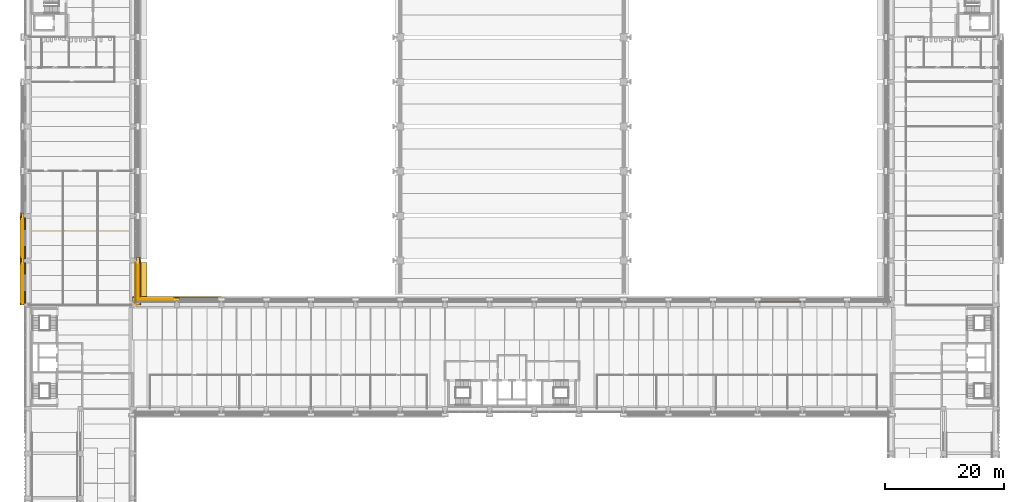
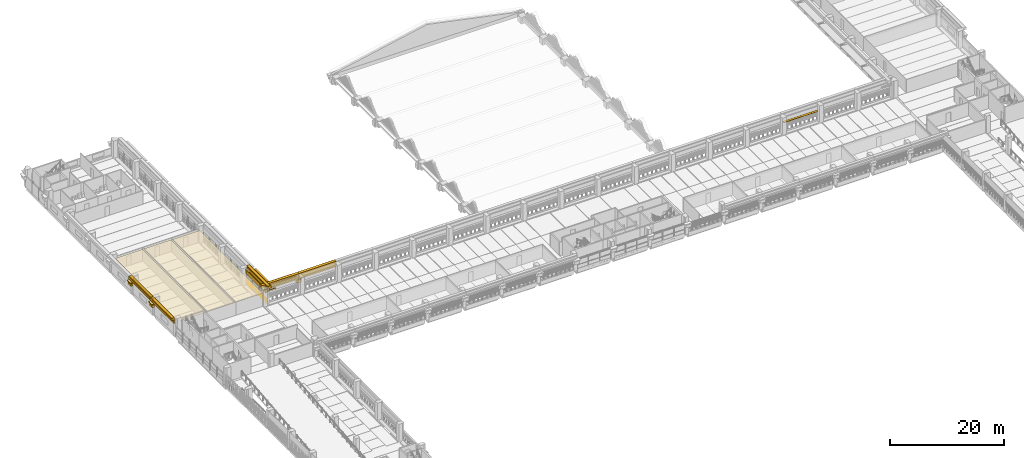
# One storey, part 47 of 71: 23 coverings, 2 shading devices, 1 railing.
"""IFC4 building model written with IfcOpenShell, lengths in metres."""

from ifc_helpers import new_model, si_unit, direction, frame, origin, origin_2d, place, context, subcontext, project, spatial, polyline, circle, outline, extrude, material, layer, layer_set, type_object, element, save


model = new_model("IFC4")

# Units and contexts
model_context = context("Model", 3, precision=1e-05, world=origin(), true_north=direction((0.0, 1.0)))
body_context = subcontext(model_context, "Body", "Model", "MODEL_VIEW")
ifc_project = project(units=[si_unit("LENGTHUNIT", "METRE"), si_unit("AREAUNIT", "SQUARE_METRE"), si_unit("VOLUMEUNIT", "CUBIC_METRE"), si_unit("PLANEANGLEUNIT", "RADIAN"), si_unit("MASSUNIT", "GRAM", prefix="KILO")], contexts=[model_context])

# Site, building, storey
site_placement = place(None, origin())
site = spatial("IfcSite", under=ifc_project, at=site_placement, CompositionType="ELEMENT")
building_placement = place(site_placement, origin())
building = spatial("IfcBuilding", under=site, at=building_placement, Name="Cour d'Honneur Mobility Palace", CompositionType="ELEMENT")
storey_placement = place(building_placement, frame((0.0, 0.0, 15.60009765625)))
storey = spatial("IfcBuildingStorey", under=building, at=storey_placement, Name="L04", CompositionType="ELEMENT", Elevation=15.60009765625)

# Railing
ifc_material_1 = material(Name="Painted steel", Category="steel")
railing_type = type_object("IfcRailingType", Name="Balustrade", PredefinedType="BALUSTRADE", material=ifc_material_1)
railing_placement = place(storey_placement, frame((17.949951171875, 62.699951171875, 0.2998046875)))
element("IfcRailing", 1, at=railing_placement, inside=storey, type_object=railing_type, Name="Balustrade BAL-252", PredefinedType="BALUSTRADE", context=body_context, shape_type="SweptSolid", body=[
    extrude(circle(Radius=0.02392578125, at=origin_2d()), frame((0.0, 0.0, 0.77587890625), z_axis=(0.0, 1.0, 0.0), x_axis=(-1.0, 0.0, 0.0)), (0.0, 0.0, 1.0), 6.900146484375),
    extrude(circle(Radius=0.02099609375, at=origin_2d()), origin(), (0.0, 0.0, 1.0), 0.751953125),
    extrude(circle(Radius=0.02099609375, at=origin_2d()), frame((0.0, 0.862548828125, 0.0)), (0.0, 0.0, 1.0), 0.751953125),
    extrude(circle(Radius=0.02099609375, at=origin_2d()), frame((0.0, 1.72509765625, 0.0)), (0.0, 0.0, 1.0), 0.751953125),
    extrude(circle(Radius=0.02099609375, at=origin_2d()), frame((0.0, 2.587646484375, 0.0)), (0.0, 0.0, 1.0), 0.751953125),
    extrude(circle(Radius=0.02099609375, at=origin_2d()), frame((0.0, 3.4501953125, 0.0)), (0.0, 0.0, 1.0), 0.751953125),
    extrude(circle(Radius=0.02099609375, at=origin_2d()), frame((0.0, 4.3125, 0.0)), (0.0, 0.0, 1.0), 0.751953125),
    extrude(circle(Radius=0.02099609375, at=origin_2d()), frame((0.0, 5.175048828125, 0.0)), (0.0, 0.0, 1.0), 0.751953125),
    extrude(circle(Radius=0.02099609375, at=origin_2d()), frame((0.0, 6.03759765625, 0.0)), (0.0, 0.0, 1.0), 0.751953125),
    extrude(circle(Radius=0.02099609375, at=origin_2d()), frame((0.0, 6.900146484375, 0.0)), (0.0, 0.0, 1.0), 0.751953125),
])

# Coverings
ifc_material_2 = material(Name="Cast limestone", Category="masonry")
ifc_layer_1 = layer(ifc_material_2, 0.14990234375)
ifc_layer_set_1 = layer_set([ifc_layer_1], Name="Cast limestone")
covering_type_1 = type_object("IfcCoveringType", Name="Dentil course", PredefinedType="CLADDING", material=ifc_layer_set_1)
covering_1_placement = place(storey_placement, frame((0.0, 0.0, 3.14990234375)))
element("IfcCovering", 2, at=covering_1_placement, inside=storey, type_object=covering_type_1, Name="Dentil course DC-111", PredefinedType="CLADDING", context=body_context, shape_type="SweptSolid", body=[
    extrude(outline(polyline([(24.449951171875, 63.300048828125), (17.85009765625, 63.300048828125), (17.85009765625, 63.330078125), (17.85009765625, 63.330078125), (17.928466796875, 63.330078125), (17.928466796875, 63.449951171875), (18.085693359375, 63.449951171875), (18.085693359375, 63.330078125), (18.164306640625, 63.330078125), (18.164306640625, 63.330078125), (18.242919921875, 63.330078125), (18.242919921875, 63.449951171875), (18.39990234375, 63.449951171875), (18.39990234375, 63.330078125), (18.478515625, 63.330078125), (18.478515625, 63.330078125), (18.55712890625, 63.330078125), (18.55712890625, 63.449951171875), (18.71435546875, 63.449951171875), (18.71435546875, 63.330078125), (18.79296875, 63.330078125), (18.79296875, 63.330078125), (18.871337890625, 63.330078125), (18.871337890625, 63.449951171875), (19.028564453125, 63.449951171875), (19.028564453125, 63.330078125), (19.107177734375, 63.330078125), (19.107177734375, 63.330078125), (19.185791015625, 63.330078125), (19.185791015625, 63.449951171875), (19.3427734375, 63.449951171875), (19.3427734375, 63.330078125), (19.42138671875, 63.330078125), (19.42138671875, 63.330078125), (19.5, 63.330078125), (19.5, 63.449951171875), (19.6572265625, 63.449951171875), (19.6572265625, 63.330078125), (19.735595703125, 63.330078125), (19.735595703125, 63.330078125), (19.814208984375, 63.330078125), (19.814208984375, 63.449951171875), (19.971435546875, 63.449951171875), (19.971435546875, 63.330078125), (20.050048828125, 63.330078125), (20.050048828125, 63.330078125), (20.128662109375, 63.330078125), (20.128662109375, 63.449951171875), (20.28564453125, 63.449951171875), (20.28564453125, 63.330078125), (20.3642578125, 63.330078125), (20.3642578125, 63.330078125), (20.44287109375, 63.330078125), (20.44287109375, 63.449951171875), (20.60009765625, 63.449951171875), (20.60009765625, 63.330078125), (20.678466796875, 63.330078125), (20.678466796875, 63.330078125), (20.757080078125, 63.330078125), (20.757080078125, 63.449951171875), (20.914306640625, 63.449951171875), (20.914306640625, 63.330078125), (20.992919921875, 63.330078125), (20.992919921875, 63.330078125), (21.071533203125, 63.330078125), (21.071533203125, 63.449951171875), (21.228515625, 63.449951171875), (21.228515625, 63.330078125), (21.30712890625, 63.330078125), (21.30712890625, 63.330078125), (21.3857421875, 63.330078125), (21.3857421875, 63.449951171875), (21.54296875, 63.449951171875), (21.54296875, 63.330078125), (21.621337890625, 63.330078125), (21.621337890625, 63.330078125), (21.699951171875, 63.330078125), (21.699951171875, 63.449951171875), (21.857177734375, 63.449951171875), (21.857177734375, 63.330078125), (21.935791015625, 63.330078125), (21.935791015625, 63.330078125), (22.014404296875, 63.330078125), (22.014404296875, 63.449951171875), (22.17138671875, 63.449951171875), (22.17138671875, 63.330078125), (22.25, 63.330078125), (22.25, 63.330078125), (22.32861328125, 63.330078125), (22.32861328125, 63.449951171875), (22.485595703125, 63.449951171875), (22.485595703125, 63.330078125), (22.564208984375, 63.330078125), (22.564208984375, 63.330078125), (22.642822265625, 63.330078125), (22.642822265625, 63.449951171875), (22.800048828125, 63.449951171875), (22.800048828125, 63.330078125), (22.878662109375, 63.330078125), (22.878662109375, 63.330078125), (22.95703125, 63.330078125), (22.95703125, 63.449951171875), (23.1142578125, 63.449951171875), (23.1142578125, 63.330078125), (23.19287109375, 63.330078125), (23.19287109375, 63.330078125), (23.271484375, 63.330078125), (23.271484375, 63.449951171875), (23.428466796875, 63.449951171875), (23.428466796875, 63.330078125), (23.507080078125, 63.330078125), (23.507080078125, 63.330078125), (23.585693359375, 63.330078125), (23.585693359375, 63.449951171875), (23.742919921875, 63.449951171875), (23.742919921875, 63.330078125), (23.821533203125, 63.330078125), (23.821533203125, 63.330078125), (23.89990234375, 63.330078125), (23.89990234375, 63.449951171875), (24.05712890625, 63.449951171875), (24.05712890625, 63.330078125), (24.1357421875, 63.330078125), (24.1357421875, 63.330078125), (24.21435546875, 63.330078125), (24.21435546875, 63.449951171875), (24.371337890625, 63.449951171875), (24.371337890625, 63.330078125), (24.449951171875, 63.330078125), (24.449951171875, 63.300048828125)])), origin(), (0.0, 0.0, 1.0), 0.14990234375),
])
covering_2_placement = place(storey_placement, frame((0.0, 0.0, 3.14990234375)))
element("IfcCovering", 3, at=covering_2_placement, inside=storey, type_object=covering_type_1, Name="Dentil course DC-112", PredefinedType="CLADDING", context=body_context, shape_type="SweptSolid", body=[
    extrude(outline(polyline([(18.300048828125, 62.85009765625), (18.300048828125, 69.449951171875), (18.330078125, 69.449951171875), (18.330078125, 69.449951171875), (18.330078125, 69.371337890625), (18.449951171875, 69.371337890625), (18.449951171875, 69.21435546875), (18.330078125, 69.21435546875), (18.330078125, 69.1357421875), (18.330078125, 69.1357421875), (18.330078125, 69.05712890625), (18.449951171875, 69.05712890625), (18.449951171875, 68.89990234375), (18.330078125, 68.89990234375), (18.330078125, 68.821533203125), (18.330078125, 68.821533203125), (18.330078125, 68.742919921875), (18.449951171875, 68.742919921875), (18.449951171875, 68.585693359375), (18.330078125, 68.585693359375), (18.330078125, 68.507080078125), (18.330078125, 68.507080078125), (18.330078125, 68.428466796875), (18.449951171875, 68.428466796875), (18.449951171875, 68.271484375), (18.330078125, 68.271484375), (18.330078125, 68.19287109375), (18.330078125, 68.19287109375), (18.330078125, 68.1142578125), (18.449951171875, 68.1142578125), (18.449951171875, 67.95703125), (18.330078125, 67.95703125), (18.330078125, 67.878662109375), (18.330078125, 67.878662109375), (18.330078125, 67.800048828125), (18.449951171875, 67.800048828125), (18.449951171875, 67.642822265625), (18.330078125, 67.642822265625), (18.330078125, 67.564208984375), (18.330078125, 67.564208984375), (18.330078125, 67.485595703125), (18.449951171875, 67.485595703125), (18.449951171875, 67.32861328125), (18.330078125, 67.32861328125), (18.330078125, 67.25), (18.330078125, 67.25), (18.330078125, 67.17138671875), (18.449951171875, 67.17138671875), (18.449951171875, 67.014404296875), (18.330078125, 67.014404296875), (18.330078125, 66.935791015625), (18.330078125, 66.935791015625), (18.330078125, 66.857177734375), (18.449951171875, 66.857177734375), (18.449951171875, 66.699951171875), (18.330078125, 66.699951171875), (18.330078125, 66.621337890625), (18.330078125, 66.621337890625), (18.330078125, 66.54296875), (18.449951171875, 66.54296875), (18.449951171875, 66.3857421875), (18.330078125, 66.3857421875), (18.330078125, 66.30712890625), (18.330078125, 66.30712890625), (18.330078125, 66.228515625), (18.449951171875, 66.228515625), (18.449951171875, 66.071533203125), (18.330078125, 66.071533203125), (18.330078125, 65.992919921875), (18.330078125, 65.992919921875), (18.330078125, 65.914306640625), (18.449951171875, 65.914306640625), (18.449951171875, 65.757080078125), (18.330078125, 65.757080078125), (18.330078125, 65.678466796875), (18.330078125, 65.678466796875), (18.330078125, 65.60009765625), (18.449951171875, 65.60009765625), (18.449951171875, 65.44287109375), (18.330078125, 65.44287109375), (18.330078125, 65.3642578125), (18.330078125, 65.3642578125), (18.330078125, 65.28564453125), (18.449951171875, 65.28564453125), (18.449951171875, 65.128662109375), (18.330078125, 65.128662109375), (18.330078125, 65.050048828125), (18.330078125, 65.050048828125), (18.330078125, 64.971435546875), (18.449951171875, 64.971435546875), (18.449951171875, 64.814208984375), (18.330078125, 64.814208984375), (18.330078125, 64.735595703125), (18.330078125, 64.735595703125), (18.330078125, 64.6572265625), (18.449951171875, 64.6572265625), (18.449951171875, 64.5), (18.330078125, 64.5), (18.330078125, 64.42138671875), (18.330078125, 64.42138671875), (18.330078125, 64.3427734375), (18.449951171875, 64.3427734375), (18.449951171875, 64.185791015625), (18.330078125, 64.185791015625), (18.330078125, 64.107177734375), (18.330078125, 64.107177734375), (18.330078125, 64.028564453125), (18.449951171875, 64.028564453125), (18.449951171875, 63.871337890625), (18.330078125, 63.871337890625), (18.330078125, 63.79296875), (18.330078125, 63.79296875), (18.330078125, 63.71435546875), (18.449951171875, 63.71435546875), (18.449951171875, 63.55712890625), (18.330078125, 63.55712890625), (18.330078125, 63.478515625), (18.330078125, 63.478515625), (18.330078125, 63.39990234375), (18.449951171875, 63.39990234375), (18.449951171875, 63.242919921875), (18.330078125, 63.242919921875), (18.330078125, 63.164306640625), (18.330078125, 63.164306640625), (18.330078125, 63.085693359375), (18.449951171875, 63.085693359375), (18.449951171875, 62.928466796875), (18.330078125, 62.928466796875), (18.330078125, 62.85009765625), (18.300048828125, 62.85009765625)])), origin(), (0.0, 0.0, 1.0), 0.14990234375),
])
covering_3_placement = place(storey_placement, frame((0.0, 0.0, 3.14990234375)))
element("IfcCovering", 4, at=covering_3_placement, inside=storey, type_object=covering_type_1, Name="Dentil course DC-122", PredefinedType="CLADDING", context=body_context, shape_type="SweptSolid", body=[
    extrude(outline(polyline([(-0.89990234375, 76.949951171875), (-0.89990234375, 70.35009765625), (-0.929931640625, 70.35009765625), (-0.929931640625, 70.35009765625), (-0.929931640625, 70.428466796875), (-1.050048828125, 70.428466796875), (-1.050048828125, 70.585693359375), (-0.929931640625, 70.585693359375), (-0.929931640625, 70.664306640625), (-0.929931640625, 70.664306640625), (-0.929931640625, 70.742919921875), (-1.050048828125, 70.742919921875), (-1.050048828125, 70.89990234375), (-0.929931640625, 70.89990234375), (-0.929931640625, 70.978515625), (-0.929931640625, 70.978515625), (-0.929931640625, 71.05712890625), (-1.050048828125, 71.05712890625), (-1.050048828125, 71.21435546875), (-0.929931640625, 71.21435546875), (-0.929931640625, 71.29296875), (-0.929931640625, 71.29296875), (-0.929931640625, 71.371337890625), (-1.050048828125, 71.371337890625), (-1.050048828125, 71.528564453125), (-0.929931640625, 71.528564453125), (-0.929931640625, 71.607177734375), (-0.929931640625, 71.607177734375), (-0.929931640625, 71.685791015625), (-1.050048828125, 71.685791015625), (-1.050048828125, 71.8427734375), (-0.929931640625, 71.8427734375), (-0.929931640625, 71.92138671875), (-0.929931640625, 71.92138671875), (-0.929931640625, 72.0), (-1.050048828125, 72.0), (-1.050048828125, 72.1572265625), (-0.929931640625, 72.1572265625), (-0.929931640625, 72.235595703125), (-0.929931640625, 72.235595703125), (-0.929931640625, 72.314208984375), (-1.050048828125, 72.314208984375), (-1.050048828125, 72.471435546875), (-0.929931640625, 72.471435546875), (-0.929931640625, 72.550048828125), (-0.929931640625, 72.550048828125), (-0.929931640625, 72.628662109375), (-1.050048828125, 72.628662109375), (-1.050048828125, 72.78564453125), (-0.929931640625, 72.78564453125), (-0.929931640625, 72.8642578125), (-0.929931640625, 72.8642578125), (-0.929931640625, 72.94287109375), (-1.050048828125, 72.94287109375), (-1.050048828125, 73.10009765625), (-0.929931640625, 73.10009765625), (-0.929931640625, 73.178466796875), (-0.929931640625, 73.178466796875), (-0.929931640625, 73.257080078125), (-1.050048828125, 73.257080078125), (-1.050048828125, 73.414306640625), (-0.929931640625, 73.414306640625), (-0.929931640625, 73.492919921875), (-0.929931640625, 73.492919921875), (-0.929931640625, 73.571533203125), (-1.050048828125, 73.571533203125), (-1.050048828125, 73.728515625), (-0.929931640625, 73.728515625), (-0.929931640625, 73.80712890625), (-0.929931640625, 73.80712890625), (-0.929931640625, 73.8857421875), (-1.050048828125, 73.8857421875), (-1.050048828125, 74.04296875), (-0.929931640625, 74.04296875), (-0.929931640625, 74.121337890625), (-0.929931640625, 74.121337890625), (-0.929931640625, 74.199951171875), (-1.050048828125, 74.199951171875), (-1.050048828125, 74.357177734375), (-0.929931640625, 74.357177734375), (-0.929931640625, 74.435791015625), (-0.929931640625, 74.435791015625), (-0.929931640625, 74.514404296875), (-1.050048828125, 74.514404296875), (-1.050048828125, 74.67138671875), (-0.929931640625, 74.67138671875), (-0.929931640625, 74.75), (-0.929931640625, 74.75), (-0.929931640625, 74.82861328125), (-1.050048828125, 74.82861328125), (-1.050048828125, 74.985595703125), (-0.929931640625, 74.985595703125), (-0.929931640625, 75.064208984375), (-0.929931640625, 75.064208984375), (-0.929931640625, 75.142822265625), (-1.050048828125, 75.142822265625), (-1.050048828125, 75.300048828125), (-0.929931640625, 75.300048828125), (-0.929931640625, 75.378662109375), (-0.929931640625, 75.378662109375), (-0.929931640625, 75.45703125), (-1.050048828125, 75.45703125), (-1.050048828125, 75.6142578125), (-0.929931640625, 75.6142578125), (-0.929931640625, 75.69287109375), (-0.929931640625, 75.69287109375), (-0.929931640625, 75.771484375), (-1.050048828125, 75.771484375), (-1.050048828125, 75.928466796875), (-0.929931640625, 75.928466796875), (-0.929931640625, 76.007080078125), (-0.929931640625, 76.007080078125), (-0.929931640625, 76.085693359375), (-1.050048828125, 76.085693359375), (-1.050048828125, 76.242919921875), (-0.929931640625, 76.242919921875), (-0.929931640625, 76.321533203125), (-0.929931640625, 76.321533203125), (-0.929931640625, 76.39990234375), (-1.050048828125, 76.39990234375), (-1.050048828125, 76.55712890625), (-0.929931640625, 76.55712890625), (-0.929931640625, 76.6357421875), (-0.929931640625, 76.6357421875), (-0.929931640625, 76.71435546875), (-1.050048828125, 76.71435546875), (-1.050048828125, 76.871337890625), (-0.929931640625, 76.871337890625), (-0.929931640625, 76.949951171875), (-0.89990234375, 76.949951171875)])), origin(), (0.0, 0.0, 1.0), 0.14990234375),
])
covering_4_placement = place(storey_placement, frame((0.0, 0.0, 3.14990234375)))
element("IfcCovering", 5, at=covering_4_placement, inside=storey, type_object=covering_type_1, Name="Dentil course DC-123", PredefinedType="CLADDING", context=body_context, shape_type="SweptSolid", body=[
    extrude(outline(polyline([(-0.89990234375, 69.449951171875), (-0.89990234375, 62.85009765625), (-0.929931640625, 62.85009765625), (-0.929931640625, 62.85009765625), (-0.929931640625, 62.928466796875), (-1.050048828125, 62.928466796875), (-1.050048828125, 63.085693359375), (-0.929931640625, 63.085693359375), (-0.929931640625, 63.164306640625), (-0.929931640625, 63.164306640625), (-0.929931640625, 63.242919921875), (-1.050048828125, 63.242919921875), (-1.050048828125, 63.39990234375), (-0.929931640625, 63.39990234375), (-0.929931640625, 63.478515625), (-0.929931640625, 63.478515625), (-0.929931640625, 63.55712890625), (-1.050048828125, 63.55712890625), (-1.050048828125, 63.71435546875), (-0.929931640625, 63.71435546875), (-0.929931640625, 63.79296875), (-0.929931640625, 63.79296875), (-0.929931640625, 63.871337890625), (-1.050048828125, 63.871337890625), (-1.050048828125, 64.028564453125), (-0.929931640625, 64.028564453125), (-0.929931640625, 64.107177734375), (-0.929931640625, 64.107177734375), (-0.929931640625, 64.185791015625), (-1.050048828125, 64.185791015625), (-1.050048828125, 64.3427734375), (-0.929931640625, 64.3427734375), (-0.929931640625, 64.42138671875), (-0.929931640625, 64.42138671875), (-0.929931640625, 64.5), (-1.050048828125, 64.5), (-1.050048828125, 64.6572265625), (-0.929931640625, 64.6572265625), (-0.929931640625, 64.735595703125), (-0.929931640625, 64.735595703125), (-0.929931640625, 64.814208984375), (-1.050048828125, 64.814208984375), (-1.050048828125, 64.971435546875), (-0.929931640625, 64.971435546875), (-0.929931640625, 65.050048828125), (-0.929931640625, 65.050048828125), (-0.929931640625, 65.128662109375), (-1.050048828125, 65.128662109375), (-1.050048828125, 65.28564453125), (-0.929931640625, 65.28564453125), (-0.929931640625, 65.3642578125), (-0.929931640625, 65.3642578125), (-0.929931640625, 65.44287109375), (-1.050048828125, 65.44287109375), (-1.050048828125, 65.60009765625), (-0.929931640625, 65.60009765625), (-0.929931640625, 65.678466796875), (-0.929931640625, 65.678466796875), (-0.929931640625, 65.757080078125), (-1.050048828125, 65.757080078125), (-1.050048828125, 65.914306640625), (-0.929931640625, 65.914306640625), (-0.929931640625, 65.992919921875), (-0.929931640625, 65.992919921875), (-0.929931640625, 66.071533203125), (-1.050048828125, 66.071533203125), (-1.050048828125, 66.228515625), (-0.929931640625, 66.228515625), (-0.929931640625, 66.30712890625), (-0.929931640625, 66.30712890625), (-0.929931640625, 66.3857421875), (-1.050048828125, 66.3857421875), (-1.050048828125, 66.54296875), (-0.929931640625, 66.54296875), (-0.929931640625, 66.621337890625), (-0.929931640625, 66.621337890625), (-0.929931640625, 66.699951171875), (-1.050048828125, 66.699951171875), (-1.050048828125, 66.857177734375), (-0.929931640625, 66.857177734375), (-0.929931640625, 66.935791015625), (-0.929931640625, 66.935791015625), (-0.929931640625, 67.014404296875), (-1.050048828125, 67.014404296875), (-1.050048828125, 67.17138671875), (-0.929931640625, 67.17138671875), (-0.929931640625, 67.25), (-0.929931640625, 67.25), (-0.929931640625, 67.32861328125), (-1.050048828125, 67.32861328125), (-1.050048828125, 67.485595703125), (-0.929931640625, 67.485595703125), (-0.929931640625, 67.564208984375), (-0.929931640625, 67.564208984375), (-0.929931640625, 67.642822265625), (-1.050048828125, 67.642822265625), (-1.050048828125, 67.800048828125), (-0.929931640625, 67.800048828125), (-0.929931640625, 67.878662109375), (-0.929931640625, 67.878662109375), (-0.929931640625, 67.95703125), (-1.050048828125, 67.95703125), (-1.050048828125, 68.1142578125), (-0.929931640625, 68.1142578125), (-0.929931640625, 68.19287109375), (-0.929931640625, 68.19287109375), (-0.929931640625, 68.271484375), (-1.050048828125, 68.271484375), (-1.050048828125, 68.428466796875), (-0.929931640625, 68.428466796875), (-0.929931640625, 68.507080078125), (-0.929931640625, 68.507080078125), (-0.929931640625, 68.585693359375), (-1.050048828125, 68.585693359375), (-1.050048828125, 68.742919921875), (-0.929931640625, 68.742919921875), (-0.929931640625, 68.821533203125), (-0.929931640625, 68.821533203125), (-0.929931640625, 68.89990234375), (-1.050048828125, 68.89990234375), (-1.050048828125, 69.05712890625), (-0.929931640625, 69.05712890625), (-0.929931640625, 69.1357421875), (-0.929931640625, 69.1357421875), (-0.929931640625, 69.21435546875), (-1.050048828125, 69.21435546875), (-1.050048828125, 69.371337890625), (-0.929931640625, 69.371337890625), (-0.929931640625, 69.449951171875), (-0.89990234375, 69.449951171875)])), origin(), (0.0, 0.0, 1.0), 0.14990234375),
])

# Shading device
ifc_material_3 = material(Name="Anodised aluminium", Category="aluminium")
ifc_layer_2 = layer(ifc_material_3, 0.1201171875)
ifc_layer_set_2 = layer_set([ifc_layer_2], Name="Anodised aluminium")
shading_device_type_1 = type_object("IfcShadingDeviceType", Name="Eave sunshade 1800", PredefinedType="AWNING", material=ifc_layer_set_2)
shading_device_1_placement = place(storey_placement, frame((0.0, 0.0, 2.6298828125)))
element("IfcShadingDevice", 6, at=shading_device_1_placement, inside=storey, type_object=shading_device_type_1, Name="Sunshade E9.0 L04", PredefinedType="AWNING", context=body_context, shape_type="SweptSolid", body=[
    extrude(outline(polyline([(18.10009765625, 62.699951171875), (18.10009765625, 69.60009765625), (19.89990234375, 69.60009765625), (19.89990234375, 62.699951171875), (18.10009765625, 62.699951171875)])), origin(), (0.0, 0.0, 1.0), 0.1201171875),
])

# Coverings
ifc_material_4 = material(Name="Cast limestone", Category="masonry")
ifc_layer_3 = layer(ifc_material_4, 0.699951171875)
ifc_layer_set_3 = layer_set([ifc_layer_3], Name="Cast limestone")
covering_type_2 = type_object("IfcCoveringType", Name="Entablature", PredefinedType="CLADDING", material=ifc_layer_set_3)
for number, where, z_axis, x_axis, name in (
    (7, (32.39990234375, 63.14990234375, 2.599853515625), (1.0, 0.0, 0.0), (0.0, 1.0, 0.0), "Entablature EN-110"),
    (8, (24.89990234375, 63.14990234375, 2.599853515625), (1.0, 0.0, 0.0), (0.0, 1.0, 0.0), "Entablature EN-111"),
    (9, (18.14990234375, 62.39990234375, 2.599853515625), (0.0, -1.0, 0.0), (1.0, 0.0, 0.0), "Entablature EN-112"),
):
    element("IfcCovering", number, at=place(storey_placement, frame(where, z_axis=z_axis, x_axis=x_axis)), inside=storey, type_object=covering_type_2, Name=name, PredefinedType="CLADDING", context=body_context, shape_type="SweptSolid", body=[
        extrude(outline(polyline([(0.0, 0.0), (0.150146484375, 0.0), (0.150146484375, 0.699951171875), (0.7001953125, 0.699951171875), (0.7001953125, 1.10009765625), (0.550048828125, 1.199951171875), (0.0, 1.199951171875), (0.0, 0.0)])), origin(), (0.0, 0.0, -1.0), 7.5),
    ])
for number, where, z_axis, x_axis, name in (
    (10, (-0.75, 77.39990234375, 2.599853515625), (0.0, 1.0, 0.0), (-1.0, 0.0, 0.0), "Entablature EN-122"),
    (11, (-0.75, 69.89990234375, 2.599853515625), (0.0, 1.0, 0.0), (-1.0, 0.0, 0.0), "Entablature EN-123"),
):
    element("IfcCovering", number, at=place(storey_placement, frame(where, z_axis=z_axis, x_axis=x_axis)), inside=storey, type_object=covering_type_2, Name=name, PredefinedType="CLADDING", context=body_context, shape_type="SweptSolid", body=[
        extrude(outline(polyline([(0.0, 0.0), (0.14990234375, 0.0), (0.14990234375, 0.699951171875), (0.699951171875, 0.699951171875), (0.699951171875, 1.10009765625), (0.550048828125, 1.199951171875), (0.0, 1.199951171875), (0.0, 0.0)])), origin(), (0.0, 0.0, -1.0), 7.5),
    ])
ifc_material_5 = material(Name="Cast limestone", Category="masonry")
ifc_layer_4 = layer(ifc_material_5, 0.1201171875)
ifc_layer_set_4 = layer_set([ifc_layer_4], Name="Cast limestone")
covering_type_3 = type_object("IfcCoveringType", Name="Pilaster capital", PredefinedType="CLADDING", material=ifc_layer_set_4)
covering_5_placement = place(storey_placement, frame((0.0, 0.0, 1.7998046875)))
element("IfcCovering", 12, at=covering_5_placement, inside=storey, type_object=covering_type_3, Name="Pilaster capital PK-155", PredefinedType="CLADDING", context=body_context, shape_type="SweptSolid", body=[
    extrude(outline(polyline([(25.39990234375, 63.14990234375), (24.39990234375, 63.14990234375), (24.39990234375, 63.6201171875), (25.39990234375, 63.6201171875), (25.39990234375, 63.14990234375)])), origin(), (0.0, 0.0, 1.0), 0.6201171875),
])
covering_6_placement = place(storey_placement, frame((0.0, 0.0, 2.419921875)))
element("IfcCovering", 13, at=covering_6_placement, inside=storey, type_object=covering_type_3, Name="Pilaster capital PK-156", PredefinedType="CLADDING", context=body_context, shape_type="SweptSolid", body=[
    extrude(outline(polyline([(25.5, 63.14990234375), (24.300048828125, 63.14990234375), (24.300048828125, 63.75), (25.5, 63.75), (25.5, 63.14990234375)])), origin(), (0.0, 0.0, 1.0), 0.179931640625),
])
covering_7_placement = place(storey_placement, frame((0.0, 0.0, 1.7998046875)))
element("IfcCovering", 14, at=covering_7_placement, inside=storey, type_object=covering_type_3, Name="Pilaster capital PK-161", PredefinedType="CLADDING", context=body_context, shape_type="SweptSolid", body=[
    extrude(outline(polyline([(18.14990234375, 69.39990234375), (18.14990234375, 70.39990234375), (18.6201171875, 70.39990234375), (18.6201171875, 69.39990234375), (18.14990234375, 69.39990234375)])), origin(), (0.0, 0.0, 1.0), 0.6201171875),
])
covering_8_placement = place(storey_placement, frame((0.0, 0.0, 2.419921875)))
element("IfcCovering", 15, at=covering_8_placement, inside=storey, type_object=covering_type_3, Name="Pilaster capital PK-162", PredefinedType="CLADDING", context=body_context, shape_type="SweptSolid", body=[
    extrude(outline(polyline([(18.14990234375, 69.300048828125), (18.14990234375, 70.5), (18.75, 70.5), (18.75, 69.300048828125), (18.14990234375, 69.300048828125)])), origin(), (0.0, 0.0, 1.0), 0.179931640625),
])
covering_9_placement = place(storey_placement, frame((0.0, 0.0, 1.7998046875)))
element("IfcCovering", 16, at=covering_9_placement, inside=storey, type_object=covering_type_3, Name="Pilaster capital PK-189", PredefinedType="CLADDING", context=body_context, shape_type="SweptSolid", body=[
    extrude(outline(polyline([(-0.75, 77.89990234375), (-0.75, 76.89990234375), (-1.219970703125, 76.89990234375), (-1.219970703125, 77.89990234375), (-0.75, 77.89990234375)])), origin(), (0.0, 0.0, 1.0), 0.6201171875),
])
covering_10_placement = place(storey_placement, frame((0.0, 0.0, 2.419921875)))
element("IfcCovering", 17, at=covering_10_placement, inside=storey, type_object=covering_type_3, Name="Pilaster capital PK-190", PredefinedType="CLADDING", context=body_context, shape_type="SweptSolid", body=[
    extrude(outline(polyline([(-0.75, 78.0), (-0.75, 76.800048828125), (-1.35009765625, 76.800048828125), (-1.35009765625, 78.0), (-0.75, 78.0)])), origin(), (0.0, 0.0, 1.0), 0.179931640625),
])
covering_11_placement = place(storey_placement, frame((0.0, 0.0, 1.7998046875)))
element("IfcCovering", 18, at=covering_11_placement, inside=storey, type_object=covering_type_3, Name="Pilaster capital PK-191", PredefinedType="CLADDING", context=body_context, shape_type="SweptSolid", body=[
    extrude(outline(polyline([(-0.75, 70.39990234375), (-0.75, 69.39990234375), (-1.219970703125, 69.39990234375), (-1.219970703125, 70.39990234375), (-0.75, 70.39990234375)])), origin(), (0.0, 0.0, 1.0), 0.6201171875),
])
covering_12_placement = place(storey_placement, frame((0.0, 0.0, 2.419921875)))
element("IfcCovering", 19, at=covering_12_placement, inside=storey, type_object=covering_type_3, Name="Pilaster capital PK-192", PredefinedType="CLADDING", context=body_context, shape_type="SweptSolid", body=[
    extrude(outline(polyline([(-0.75, 70.5), (-0.75, 69.300048828125), (-1.35009765625, 69.300048828125), (-1.35009765625, 70.5), (-0.75, 70.5)])), origin(), (0.0, 0.0, 1.0), 0.179931640625),
])
ifc_material_6 = material(Name="Cast limestone", Category="masonry")
ifc_layer_5 = layer(ifc_material_6, 0.25)
ifc_layer_set_5 = layer_set([ifc_layer_5], Name="Cast limestone")
covering_type_4 = type_object("IfcCoveringType", Name="Spandrel cladding", PredefinedType="CLADDING", material=ifc_layer_set_5)
for number, where, z_axis, x_axis, name in (
    (20, (17.85009765625, 62.699951171875, 2.2998046875), (0.0, -1.0, 0.0), (1.0, 0.0, 0.0), "Spandrel cladding SK-331"),
    (21, (-0.449951171875, 77.10009765625, 2.2998046875), (0.0, 1.0, 0.0), (-1.0, 0.0, 0.0), "Spandrel cladding SK-341"),
    (22, (-0.449951171875, 69.60009765625, 2.2998046875), (0.0, 1.0, 0.0), (-1.0, 0.0, 0.0), "Spandrel cladding SK-342"),
):
    element("IfcCovering", number, at=place(storey_placement, frame(where, z_axis=z_axis, x_axis=x_axis)), inside=storey, type_object=covering_type_4, Name=name, PredefinedType="CLADDING", context=body_context, shape_type="SweptSolid", body=[
        extrude(outline(polyline([(0.0, 0.0), (0.25, 0.0), (0.25, 1.400146484375), (0.199951171875, 1.400146484375), (0.199951171875, 0.800048828125), (0.0, 0.800048828125), (0.0, 0.0)])), origin(), (0.0, 0.0, -1.0), 6.89990234375),
    ])
ifc_material_7 = material(Name="Suspended ceiling")
ifc_layer_6 = layer(ifc_material_7, 0.030029296875)
ifc_layer_set_6 = layer_set([ifc_layer_6], Name="Suspended ceiling")
covering_type_5 = type_object("IfcCoveringType", Name="Suspended ceiling", PredefinedType="CEILING", material=ifc_layer_set_6)
covering_13_placement = place(storey_placement, frame((0.0, 0.0, 2.5498046875)))
element("IfcCovering", 23, at=covering_13_placement, inside=storey, type_object=covering_type_5, Name="Ceiling Cycle Academy Classroom", PredefinedType="CEILING", context=body_context, shape_type="SweptSolid", body=[
    extrude(outline(polyline([(5.679931640625, 62.52001953125), (0.1201171875, 62.52001953125), (0.1201171875, 84.780029296875), (5.679931640625, 84.780029296875), (5.679931640625, 62.52001953125)])), origin(), (0.0, 0.0, 1.0), 0.030029296875),
])
covering_14_placement = place(storey_placement, frame((0.0, 0.0, 2.5498046875)))
element("IfcCovering", 24, at=covering_14_placement, inside=storey, type_object=covering_type_5, Name="Ceiling Cycle Club Room", PredefinedType="CEILING", context=body_context, shape_type="SweptSolid", body=[
    extrude(outline(polyline([(11.47998046875, 62.52001953125), (5.919921875, 62.52001953125), (5.919921875, 84.780029296875), (11.47998046875, 84.780029296875), (11.47998046875, 62.52001953125)])), origin(), (0.0, 0.0, 1.0), 0.030029296875),
])
covering_15_placement = place(storey_placement, frame((0.0, 0.0, 2.5498046875)))
element("IfcCovering", 25, at=covering_15_placement, inside=storey, type_object=covering_type_5, Name="Ceiling Cyclists Lounge", PredefinedType="CEILING", context=body_context, shape_type="SweptSolid", body=[
    extrude(outline(polyline([(17.280029296875, 62.52001953125), (11.719970703125, 62.52001953125), (11.719970703125, 84.780029296875), (17.280029296875, 84.780029296875), (17.280029296875, 62.52001953125)])), origin(), (0.0, 0.0, 1.0), 0.030029296875),
])

# Shading device
ifc_material_8 = material(Name="Terracotta", Category="masonry")
ifc_layer_7 = layer(ifc_material_8, 0.02490234375)
ifc_layer_set_7 = layer_set([ifc_layer_7], Name="Terracotta")
shading_device_type_2 = type_object("IfcShadingDeviceType", Name="Terracotta louvre blade", PredefinedType="JALOUSIE", material=ifc_layer_set_7)
shading_device_2_placement = place(storey_placement, frame((129.60009765625, 62.843994140625, 1.948486328125), z_axis=(0.0, -0.707106781187, 0.707106781187), x_axis=(-1.0, 0.0, 0.0)))
element("IfcShadingDevice", 26, at=shading_device_2_placement, inside=storey, type_object=shading_device_type_2, Name="Louvre blade LV-1 N8.2 L04 5", PredefinedType="JALOUSIE", context=body_context, shape_type="SweptSolid", body=[
    extrude(outline(polyline([(0.0, 0.0), (6.900146484375, 0.0), (6.900146484375, -0.300037008228081), (0.0, -0.300037008228081), (0.0, 0.0)])), origin(), (0.0, 0.0, -1.0), 0.02490234375),
])

save(model, "model.ifc")
